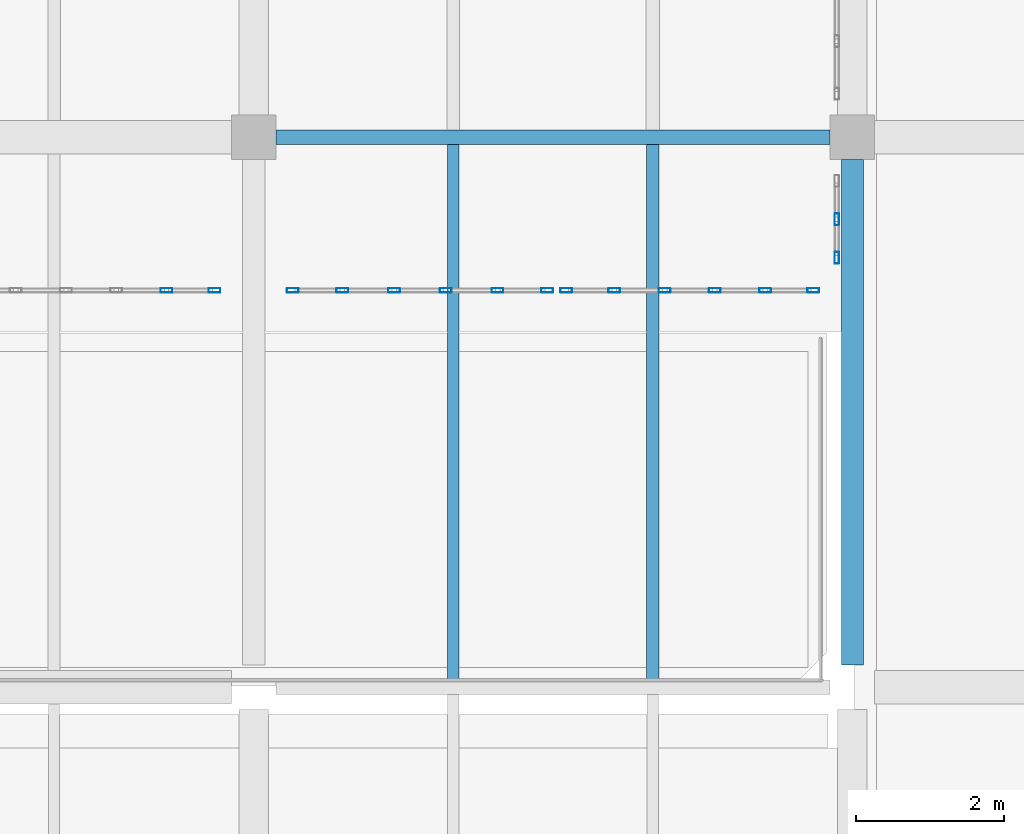
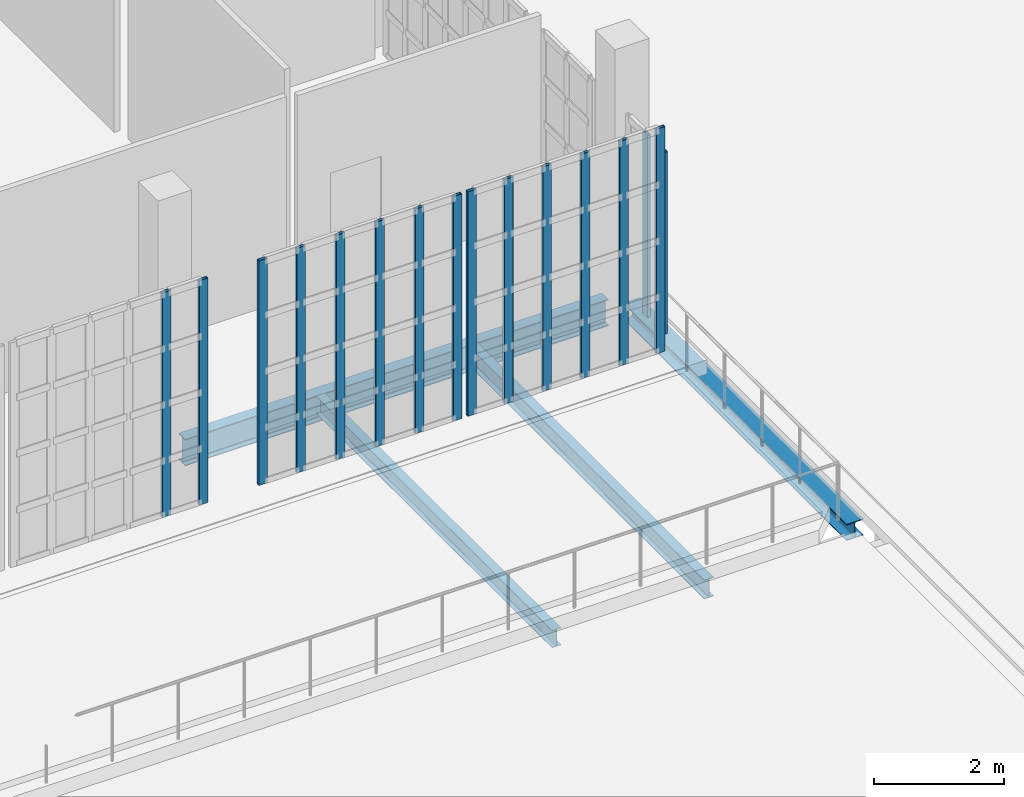
# One storey, part 25 of 73: 16 members, 4 beams, 4 elements without a shape of their own.
"""IFC4 building model written with IfcOpenShell, lengths in metres."""

from ifc_helpers import new_model, si_unit, direction, frame, origin, origin_2d, place, context, subcontext, project, spatial, hollow_rectangle, i_section, extrude, material, material_profile, profile_set, type_object, element, aggregate, save


model = new_model("IFC4")

# Units and contexts
model_context = context("Model", 3, precision=1e-05, world=origin(), true_north=direction((0.0, 1.0)))
body_context = subcontext(model_context, "Body", "Model", "MODEL_VIEW")
ifc_project = project(units=[si_unit("LENGTHUNIT", "METRE"), si_unit("AREAUNIT", "SQUARE_METRE"), si_unit("VOLUMEUNIT", "CUBIC_METRE"), si_unit("PLANEANGLEUNIT", "RADIAN"), si_unit("MASSUNIT", "GRAM", prefix="KILO")], contexts=[model_context])

# Site, building, storey
site_placement = place(None, origin())
site = spatial("IfcSite", under=ifc_project, at=site_placement, CompositionType="ELEMENT")
building_placement = place(site_placement, origin())
building = spatial("IfcBuilding", under=site, at=building_placement, Name="Kaelora Sail Theatre", CompositionType="ELEMENT")
storey_placement = place(building_placement, frame((0.0, 0.0, 10.199951171875)))
storey = spatial("IfcBuildingStorey", under=building, at=storey_placement, Name="L02", CompositionType="ELEMENT", Elevation=10.199951171875)

# Curtain wall, members
ifc_material_1 = material(Name="Anodised aluminium and solar-control low-E IGU", Category="aluminium")
curtain_wall_type = type_object("IfcCurtainWallType", Name="ARC-CW-CW-BRG", PredefinedType="NOTDEFINED", material=ifc_material_1)
curtain_wall_1_placement = place(storey_placement, origin())
curtain_wall_1 = element("IfcCurtainWall", 1, at=curtain_wall_1_placement, inside=storey, type_object=curtain_wall_type, Name="Glazed Foyer/Conservatory Curtain Wall FC2-S-L02-05", PredefinedType="NOTDEFINED")
ifc_material_2 = material(Name="Anodised aluminium 6063-T6", Category="aluminium")
ifc_material_profile_1 = material_profile(ifc_material_2, hollow_rectangle(XDim=0.06005859375, YDim=0.159912109375, WallThickness=0.00390625, InnerFilletRadius=0.00390625, OuterFilletRadius=0.008056640625, at=origin_2d()), Name="ALU-MULL 60x160x4")
ifc_profile_set_1 = profile_set([ifc_material_profile_1], Name="Anodised aluminium 6063-T6")
member_type = type_object("IfcMemberType", Name="ARC-MEM-ML-160", PredefinedType="MULLION", material=ifc_profile_set_1)
member_1_placement = place(storey_placement, frame((113.719970703125, 66.389892578125, 0.0), z_axis=(0.0, 0.0, 1.0), x_axis=(0.0, 1.0, 0.0)))
member_1 = element("IfcMember", 2, at=member_1_placement, type_object=member_type, Name="CW-BRG mullion 5", PredefinedType="MULLION", context=body_context, shape_type="SweptSolid", body=[
    extrude(hollow_rectangle(XDim=0.06005859375, YDim=0.159912109375, WallThickness=0.00390625, InnerFilletRadius=0.00390625, OuterFilletRadius=0.008056640625, at=origin_2d()), origin(), (0.0, 0.0, 1.0), 4.205078125),
])
member_2_placement = place(storey_placement, frame((114.3701171875, 66.389892578125, 0.0), z_axis=(0.0, 0.0, 1.0), x_axis=(0.0, 1.0, 0.0)))
member_2 = element("IfcMember", 3, at=member_2_placement, type_object=member_type, Name="CW-BRG mullion 6", PredefinedType="MULLION", context=body_context, shape_type="SweptSolid", body=[
    extrude(hollow_rectangle(XDim=0.06005859375, YDim=0.159912109375, WallThickness=0.00390625, InnerFilletRadius=0.00390625, OuterFilletRadius=0.008056640625, at=origin_2d()), origin(), (0.0, 0.0, 1.0), 4.205078125),
])
aggregate(curtain_wall_1, [member_1, member_2])

curtain_wall_2_placement = place(storey_placement, origin())
curtain_wall_2 = element("IfcCurtainWall", 4, at=curtain_wall_2_placement, inside=storey, type_object=curtain_wall_type, Name="Glazed Foyer/Conservatory Curtain Wall FC2-S-L02-06", PredefinedType="NOTDEFINED")
member_3_placement = place(storey_placement, frame((115.429931640625, 66.389892578125, 0.0), z_axis=(0.0, 0.0, 1.0), x_axis=(0.0, 1.0, 0.0)))
member_3 = element("IfcMember", 5, at=member_3_placement, type_object=member_type, Name="CW-BRG mullion 1", PredefinedType="MULLION", context=body_context, shape_type="SweptSolid", body=[
    extrude(hollow_rectangle(XDim=0.06005859375, YDim=0.159912109375, WallThickness=0.00390625, InnerFilletRadius=0.00390625, OuterFilletRadius=0.008056640625, at=origin_2d()), origin(), (0.0, 0.0, 1.0), 4.205078125),
])
member_4_placement = place(storey_placement, frame((116.10009765625, 66.389892578125, 0.0), z_axis=(0.0, 0.0, 1.0), x_axis=(0.0, 1.0, 0.0)))
member_4 = element("IfcMember", 6, at=member_4_placement, type_object=member_type, Name="CW-BRG mullion 2", PredefinedType="MULLION", context=body_context, shape_type="SweptSolid", body=[
    extrude(hollow_rectangle(XDim=0.06005859375, YDim=0.159912109375, WallThickness=0.00390625, InnerFilletRadius=0.00390625, OuterFilletRadius=0.008056640625, at=origin_2d()), origin(), (0.0, 0.0, 1.0), 4.205078125),
])
member_5_placement = place(storey_placement, frame((116.800048828125, 66.389892578125, 0.0), z_axis=(0.0, 0.0, 1.0), x_axis=(0.0, 1.0, 0.0)))
member_5 = element("IfcMember", 7, at=member_5_placement, type_object=member_type, Name="CW-BRG mullion 3", PredefinedType="MULLION", context=body_context, shape_type="SweptSolid", body=[
    extrude(hollow_rectangle(XDim=0.06005859375, YDim=0.159912109375, WallThickness=0.00390625, InnerFilletRadius=0.00390625, OuterFilletRadius=0.008056640625, at=origin_2d()), origin(), (0.0, 0.0, 1.0), 4.205078125),
])
member_6_placement = place(storey_placement, frame((117.5, 66.389892578125, 0.0), z_axis=(0.0, 0.0, 1.0), x_axis=(0.0, 1.0, 0.0)))
member_6 = element("IfcMember", 8, at=member_6_placement, type_object=member_type, Name="CW-BRG mullion 4", PredefinedType="MULLION", context=body_context, shape_type="SweptSolid", body=[
    extrude(hollow_rectangle(XDim=0.06005859375, YDim=0.159912109375, WallThickness=0.00390625, InnerFilletRadius=0.00390625, OuterFilletRadius=0.008056640625, at=origin_2d()), origin(), (0.0, 0.0, 1.0), 4.205078125),
])
member_7_placement = place(storey_placement, frame((118.199951171875, 66.389892578125, 0.0), z_axis=(0.0, 0.0, 1.0), x_axis=(0.0, 1.0, 0.0)))
member_7 = element("IfcMember", 9, at=member_7_placement, type_object=member_type, Name="CW-BRG mullion 5", PredefinedType="MULLION", context=body_context, shape_type="SweptSolid", body=[
    extrude(hollow_rectangle(XDim=0.06005859375, YDim=0.159912109375, WallThickness=0.00390625, InnerFilletRadius=0.00390625, OuterFilletRadius=0.008056640625, at=origin_2d()), origin(), (0.0, 0.0, 1.0), 4.205078125),
])
member_8_placement = place(storey_placement, frame((118.8701171875, 66.389892578125, 0.0), z_axis=(0.0, 0.0, 1.0), x_axis=(0.0, 1.0, 0.0)))
member_8 = element("IfcMember", 10, at=member_8_placement, type_object=member_type, Name="CW-BRG mullion 6", PredefinedType="MULLION", context=body_context, shape_type="SweptSolid", body=[
    extrude(hollow_rectangle(XDim=0.06005859375, YDim=0.159912109375, WallThickness=0.00390625, InnerFilletRadius=0.00390625, OuterFilletRadius=0.008056640625, at=origin_2d()), origin(), (0.0, 0.0, 1.0), 4.205078125),
])
aggregate(curtain_wall_2, [member_3, member_4, member_5, member_6, member_7, member_8])

curtain_wall_3_placement = place(storey_placement, origin())
curtain_wall_3 = element("IfcCurtainWall", 11, at=curtain_wall_3_placement, inside=storey, type_object=curtain_wall_type, Name="Glazed Foyer/Conservatory Curtain Wall FC2-S-L02-07", PredefinedType="NOTDEFINED")
member_9_placement = place(storey_placement, frame((119.1298828125, 66.389892578125, 0.0), z_axis=(0.0, 0.0, 1.0), x_axis=(0.0, 1.0, 0.0)))
member_9 = element("IfcMember", 12, at=member_9_placement, type_object=member_type, Name="CW-BRG mullion 1", PredefinedType="MULLION", context=body_context, shape_type="SweptSolid", body=[
    extrude(hollow_rectangle(XDim=0.06005859375, YDim=0.159912109375, WallThickness=0.00390625, InnerFilletRadius=0.00390625, OuterFilletRadius=0.008056640625, at=origin_2d()), origin(), (0.0, 0.0, 1.0), 4.205078125),
])
member_10_placement = place(storey_placement, frame((119.780029296875, 66.389892578125, 0.0), z_axis=(0.0, 0.0, 1.0), x_axis=(0.0, 1.0, 0.0)))
member_10 = element("IfcMember", 13, at=member_10_placement, type_object=member_type, Name="CW-BRG mullion 2", PredefinedType="MULLION", context=body_context, shape_type="SweptSolid", body=[
    extrude(hollow_rectangle(XDim=0.06005859375, YDim=0.159912109375, WallThickness=0.00390625, InnerFilletRadius=0.00390625, OuterFilletRadius=0.008056640625, at=origin_2d()), origin(), (0.0, 0.0, 1.0), 4.205078125),
])
member_11_placement = place(storey_placement, frame((120.4599609375, 66.389892578125, 0.0), z_axis=(0.0, 0.0, 1.0), x_axis=(0.0, 1.0, 0.0)))
member_11 = element("IfcMember", 14, at=member_11_placement, type_object=member_type, Name="CW-BRG mullion 3", PredefinedType="MULLION", context=body_context, shape_type="SweptSolid", body=[
    extrude(hollow_rectangle(XDim=0.06005859375, YDim=0.159912109375, WallThickness=0.00390625, InnerFilletRadius=0.00390625, OuterFilletRadius=0.008056640625, at=origin_2d()), origin(), (0.0, 0.0, 1.0), 4.205078125),
])
member_12_placement = place(storey_placement, frame((121.139892578125, 66.389892578125, 0.0), z_axis=(0.0, 0.0, 1.0), x_axis=(0.0, 1.0, 0.0)))
member_12 = element("IfcMember", 15, at=member_12_placement, type_object=member_type, Name="CW-BRG mullion 4", PredefinedType="MULLION", context=body_context, shape_type="SweptSolid", body=[
    extrude(hollow_rectangle(XDim=0.06005859375, YDim=0.159912109375, WallThickness=0.00390625, InnerFilletRadius=0.00390625, OuterFilletRadius=0.008056640625, at=origin_2d()), origin(), (0.0, 0.0, 1.0), 4.205078125),
])
member_13_placement = place(storey_placement, frame((121.820068359375, 66.389892578125, 0.0), z_axis=(0.0, 0.0, 1.0), x_axis=(0.0, 1.0, 0.0)))
member_13 = element("IfcMember", 16, at=member_13_placement, type_object=member_type, Name="CW-BRG mullion 5", PredefinedType="MULLION", context=body_context, shape_type="SweptSolid", body=[
    extrude(hollow_rectangle(XDim=0.06005859375, YDim=0.159912109375, WallThickness=0.00390625, InnerFilletRadius=0.00390625, OuterFilletRadius=0.008056640625, at=origin_2d()), origin(), (0.0, 0.0, 1.0), 4.205078125),
])
member_14_placement = place(storey_placement, frame((122.469970703125, 66.389892578125, 0.0), z_axis=(0.0, 0.0, 1.0), x_axis=(0.0, 1.0, 0.0)))
member_14 = element("IfcMember", 17, at=member_14_placement, type_object=member_type, Name="CW-BRG mullion 6", PredefinedType="MULLION", context=body_context, shape_type="SweptSolid", body=[
    extrude(hollow_rectangle(XDim=0.06005859375, YDim=0.159912109375, WallThickness=0.00390625, InnerFilletRadius=0.00390625, OuterFilletRadius=0.008056640625, at=origin_2d()), origin(), (0.0, 0.0, 1.0), 4.205078125),
])
aggregate(curtain_wall_3, [member_9, member_10, member_11, member_12, member_13, member_14])

curtain_wall_4_placement = place(storey_placement, origin())
curtain_wall_4 = element("IfcCurtainWall", 18, at=curtain_wall_4_placement, inside=storey, type_object=curtain_wall_type, Name="Glazed Colonnade/Courtyard Curtain Wall FC2-STEP-E-L02-01", PredefinedType="NOTDEFINED")
member_15_placement = place(storey_placement, frame((122.7900390625, 66.830078125, 0.0), z_axis=(0.0, 0.0, 1.0), x_axis=(-1.0, 0.0, 0.0)))
member_15 = element("IfcMember", 19, at=member_15_placement, type_object=member_type, Name="CW-BRG mullion 1", PredefinedType="MULLION", context=body_context, shape_type="SweptSolid", body=[
    extrude(hollow_rectangle(XDim=0.06005859375, YDim=0.159912109375, WallThickness=0.00390625, InnerFilletRadius=0.00390625, OuterFilletRadius=0.008056640625, at=origin_2d()), origin(), (0.0, 0.0, 1.0), 3.406982421875),
])
member_16_placement = place(storey_placement, frame((122.7900390625, 67.35009765625, 0.0), z_axis=(0.0, 0.0, 1.0), x_axis=(-1.0, 0.0, 0.0)))
member_16 = element("IfcMember", 20, at=member_16_placement, type_object=member_type, Name="CW-BRG mullion 2", PredefinedType="MULLION", context=body_context, shape_type="SweptSolid", body=[
    extrude(hollow_rectangle(XDim=0.06005859375, YDim=0.159912109375, WallThickness=0.00390625, InnerFilletRadius=0.00390625, OuterFilletRadius=0.008056640625, at=origin_2d()), origin(), (0.0, 0.0, 1.0), 3.406982421875),
])
aggregate(curtain_wall_4, [member_15, member_16])

# Beams
ifc_material_3 = material(Name="Steel S355", Category="steel")
ifc_material_profile_2 = material_profile(ifc_material_3, i_section(OverallWidth=0.300048828125, OverallDepth=0.31005859375, WebThickness=0.009033203125, FlangeThickness=0.015380859375, FilletRadius=0.027099609375, at=origin_2d()), Name="HEA 320")
ifc_profile_set_2 = profile_set([ifc_material_profile_2], Name="Steel S355")
beam_type_1 = type_object("IfcBeamType", Name="STR-BM-BM-HEA320", PredefinedType="BEAM", material=ifc_profile_set_2)
beam_1_placement = place(storey_placement, frame((123.0, 61.320068359375, -0.449951171875), z_axis=(0.0, 1.0, 0.0), x_axis=(-1.0, 0.0, 0.0)))
element("IfcBeam", 21, at=beam_1_placement, inside=storey, type_object=beam_type_1, Name="Primary beam 16 I-J (L02)", PredefinedType="BEAM", context=body_context, shape_type="SweptSolid", body=[
    extrude(i_section(OverallWidth=0.300048828125, OverallDepth=0.31005859375, WebThickness=0.009033203125, FlangeThickness=0.015380859375, FilletRadius=0.027099609375, at=origin_2d()), origin(), (0.0, 0.0, 1.0), 6.83984375),
])
ifc_material_4 = material(Name="Steel S355", Category="steel")
ifc_material_profile_3 = material_profile(ifc_material_4, i_section(OverallWidth=0.199951171875, OverallDepth=0.5, WebThickness=0.01025390625, FlangeThickness=0.01611328125, FilletRadius=0.02099609375, at=origin_2d()), Name="IPE 500")
ifc_profile_set_3 = profile_set([ifc_material_profile_3], Name="Steel S355")
beam_type_2 = type_object("IfcBeamType", Name="STR-BM-BM-IPE500", PredefinedType="BEAM", material=ifc_profile_set_3)
beam_2_placement = place(storey_placement, frame((115.199951171875, 68.4599609375, -0.544921875), z_axis=(1.0, 0.0, 0.0), x_axis=(0.0, 1.0, 0.0)))
element("IfcBeam", 22, at=beam_2_placement, inside=storey, type_object=beam_type_2, Name="Primary beam J 15-16 (L02)", PredefinedType="BEAM", context=body_context, shape_type="SweptSolid", body=[
    extrude(i_section(OverallWidth=0.199951171875, OverallDepth=0.5, WebThickness=0.01025390625, FlangeThickness=0.01611328125, FilletRadius=0.02099609375, at=origin_2d()), origin(), (0.0, 0.0, 1.0), 7.5),
])
ifc_material_5 = material(Name="Steel S355", Category="steel")
ifc_material_profile_4 = material_profile(ifc_material_5, i_section(OverallWidth=0.159912109375, OverallDepth=0.330078125, WebThickness=0.007568359375, FlangeThickness=0.011474609375, FilletRadius=0.01806640625, at=origin_2d()), Name="IPE 330")
ifc_profile_set_4 = profile_set([ifc_material_profile_4], Name="Steel S355")
beam_type_3 = type_object("IfcBeamType", Name="STR-BM-JS-IPE330", PredefinedType="JOIST", material=ifc_profile_set_4)
beam_3_placement = place(storey_placement, frame((117.60009765625, 61.1201171875, -0.4599609375), z_axis=(0.0, 1.0, 0.0), x_axis=(-1.0, 0.0, 0.0)))
element("IfcBeam", 23, at=beam_3_placement, inside=storey, type_object=beam_type_3, Name="Secondary floor joist 15/I-1 (L02)", PredefinedType="JOIST", context=body_context, shape_type="SweptSolid", body=[
    extrude(i_section(OverallWidth=0.159912109375, OverallDepth=0.330078125, WebThickness=0.007568359375, FlangeThickness=0.011474609375, FilletRadius=0.01806640625, at=origin_2d()), origin(), (0.0, 0.0, 1.0), 7.239990234375),
])
ifc_material_6 = material(Name="Steel S355", Category="steel")
ifc_material_profile_5 = material_profile(ifc_material_6, i_section(OverallWidth=0.169921875, OverallDepth=0.360107421875, WebThickness=0.008056640625, FlangeThickness=0.0126953125, FilletRadius=0.01806640625, at=origin_2d()), Name="IPE 360")
ifc_profile_set_5 = profile_set([ifc_material_profile_5], Name="Steel S355")
beam_type_4 = type_object("IfcBeamType", Name="STR-BM-JS-IPE360", PredefinedType="JOIST", material=ifc_profile_set_5)
beam_4_placement = place(storey_placement, frame((120.300048828125, 61.1201171875, -0.474853515625), z_axis=(0.0, 1.0, 0.0), x_axis=(-1.0, 0.0, 0.0)))
element("IfcBeam", 24, at=beam_4_placement, inside=storey, type_object=beam_type_4, Name="Secondary floor joist 15/I-2 (L02)", PredefinedType="JOIST", context=body_context, shape_type="SweptSolid", body=[
    extrude(i_section(OverallWidth=0.169921875, OverallDepth=0.360107421875, WebThickness=0.008056640625, FlangeThickness=0.0126953125, FilletRadius=0.01806640625, at=origin_2d()), origin(), (0.0, 0.0, 1.0), 7.239990234375),
])

save(model, "model.ifc")
